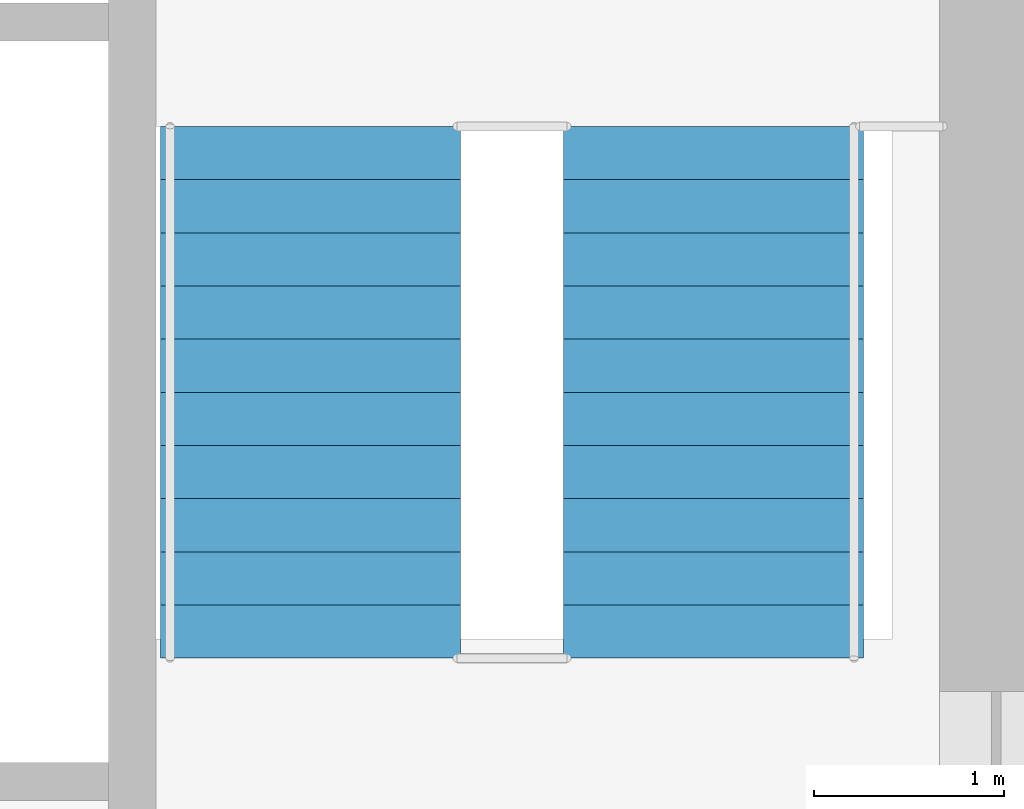
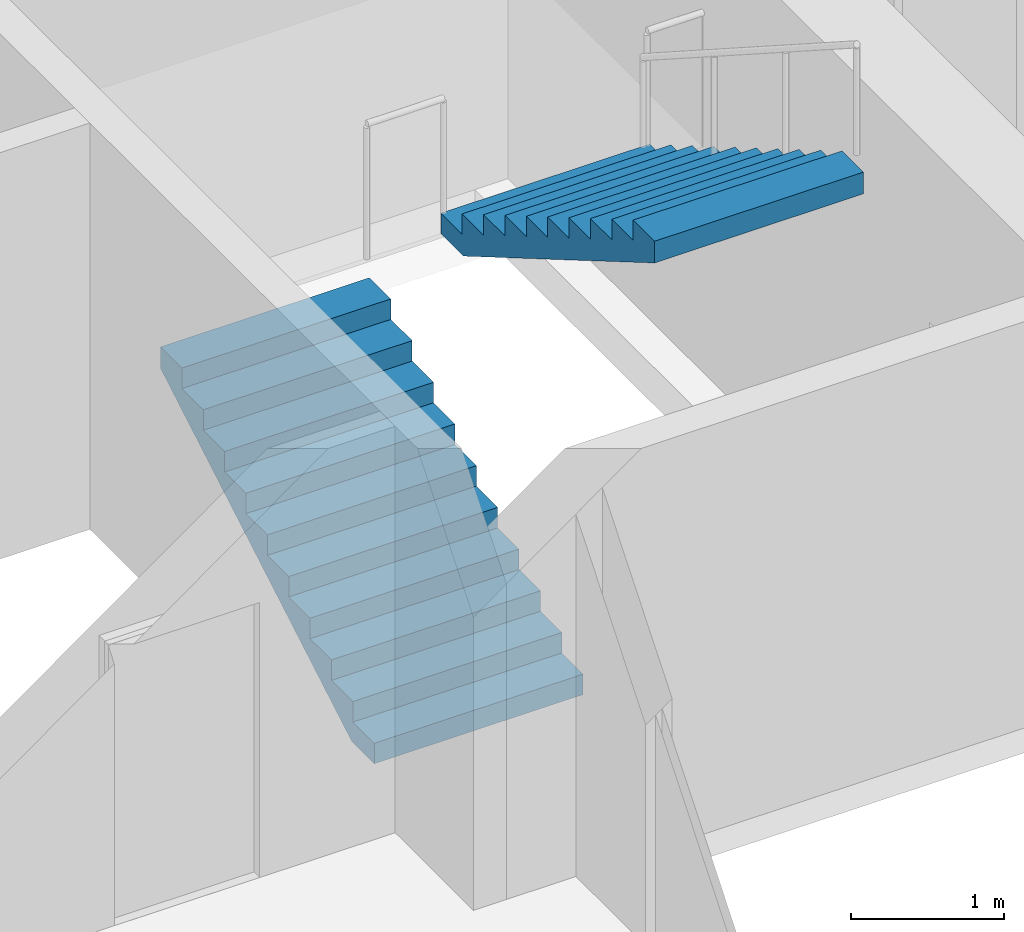
# One storey, part 15 of 18: 2 stair flights, 1 element without a shape of its own.
"""IFC4 building model written with IfcOpenShell, lengths in metres."""

from ifc_helpers import new_model, si_unit, direction, frame, origin, place, context, subcontext, project, spatial, polyline, outline, extrude, material, type_object, element, aggregate, save


model = new_model("IFC4")

# Units and contexts
model_context = context("Model", 3, precision=1e-05, world=origin(), true_north=direction((0.0, 1.0)))
body_context = subcontext(model_context, "Body", "Model", "MODEL_VIEW")
ifc_project = project(units=[si_unit("LENGTHUNIT", "METRE"), si_unit("AREAUNIT", "SQUARE_METRE"), si_unit("VOLUMEUNIT", "CUBIC_METRE"), si_unit("PLANEANGLEUNIT", "RADIAN"), si_unit("MASSUNIT", "GRAM", prefix="KILO")], contexts=[model_context])

# Site, building, storey
site_placement = place(None, origin())
site = spatial("IfcSite", under=ifc_project, at=site_placement, CompositionType="ELEMENT")
building_placement = place(site_placement, origin())
building = spatial("IfcBuilding", under=site, at=building_placement, Name="Pilkhan Gate Tower", CompositionType="ELEMENT")
storey_placement = place(building_placement, frame((0.0, 0.0, 249.89990234375)))
storey = spatial("IfcBuildingStorey", under=building, at=storey_placement, Name="L65", CompositionType="ELEMENT", Elevation=249.89990234375)

# Stair, stair flights
ifc_material = material(Name="Concrete C40/50 precast", Category="concrete")
stair_type = type_object("IfcStairType", Name="Stair ST4 164x280", PredefinedType="HALF_TURN_STAIR", material=ifc_material)
stair_placement = place(storey_placement, origin())
stair = element("IfcStair", 1, at=stair_placement, inside=storey, type_object=stair_type, Name="Stair ST4 L65", PredefinedType="HALF_TURN_STAIR")
stair_flight_type = type_object("IfcStairFlightType", Name="Stair flight ST4 164x280x11", PredefinedType="STRAIGHT", material=ifc_material)
stair_flight_1_placement = place(storey_placement, frame((85.68994140625, 87.39990234375, 0.0), z_axis=(0.0, 0.0, 1.0), x_axis=(0.0, 1.0, 0.0)))
stair_flight_1 = element("IfcStairFlight", 2, at=stair_flight_1_placement, type_object=stair_flight_type, Name="ST4 flight 1", NumberOfRisers=11, NumberOfTreads=10, PredefinedType="STRAIGHT", RiserHeight=0.163636364, TreadLength=0.28, context=body_context, shape_type="SweptSolid", body=[
    extrude(outline(polyline([(0.0, 0.0), (0.0, 0.16357421875), (0.280029296875, 0.16357421875), (0.280029296875, 0.327392578125), (0.56005859375, 0.327392578125), (0.56005859375, 0.490966796875), (0.840087890625, 0.490966796875), (0.840087890625, 0.654541015625), (1.1201171875, 0.654541015625), (1.1201171875, 0.818115234375), (1.39990234375, 0.818115234375), (1.39990234375, 0.98193359375), (1.679931640625, 0.98193359375), (1.679931640625, 1.1455078125), (1.9599609375, 1.1455078125), (1.9599609375, 1.30908203125), (2.239990234375, 1.30908203125), (2.239990234375, 1.47265625), (2.52001953125, 1.47265625), (2.52001953125, 1.636474609375), (2.800048828125, 1.636474609375), (2.800048828125, 1.800048828125), (2.800048828125, 1.462646484375), (0.297119140625, 0.0), (0.0, 0.0)])), frame((0.0, 0.7900390625, 0.0), z_axis=(0.0, -1.0, 0.0), x_axis=(1.0, 0.0, 0.0)), (0.0, 0.0, 1.0), 1.580078125),
])
stair_flight_2_placement = place(storey_placement, frame((87.81005859375, 90.199951171875, 1.800048828125), z_axis=(0.0, 0.0, 1.0), x_axis=(0.0, -1.0, 0.0)))
stair_flight_2 = element("IfcStairFlight", 3, at=stair_flight_2_placement, type_object=stair_flight_type, Name="ST4 flight 2", NumberOfRisers=11, NumberOfTreads=10, PredefinedType="STRAIGHT", RiserHeight=0.163636364, TreadLength=0.28, context=body_context, shape_type="SweptSolid", body=[
    extrude(outline(polyline([(0.0, 0.0), (0.0, 0.16357421875), (0.280029296875, 0.16357421875), (0.280029296875, 0.327392578125), (0.56005859375, 0.327392578125), (0.56005859375, 0.490966796875), (0.840087890625, 0.490966796875), (0.840087890625, 0.654541015625), (1.1201171875, 0.654541015625), (1.1201171875, 0.818115234375), (1.39990234375, 0.818115234375), (1.39990234375, 0.98193359375), (1.679931640625, 0.98193359375), (1.679931640625, 1.1455078125), (1.9599609375, 1.1455078125), (1.9599609375, 1.30908203125), (2.239990234375, 1.30908203125), (2.239990234375, 1.47265625), (2.52001953125, 1.47265625), (2.52001953125, 1.636474609375), (2.800048828125, 1.636474609375), (2.800048828125, 1.800048828125), (2.800048828125, 1.462646484375), (0.297119140625, 0.0), (0.0, 0.0)])), frame((0.0, 0.7900390625, 0.0), z_axis=(0.0, -1.0, 0.0), x_axis=(1.0, 0.0, 0.0)), (0.0, 0.0, 1.0), 1.580078125),
])
aggregate(stair, [stair_flight_1, stair_flight_2])

save(model, "model.ifc")
